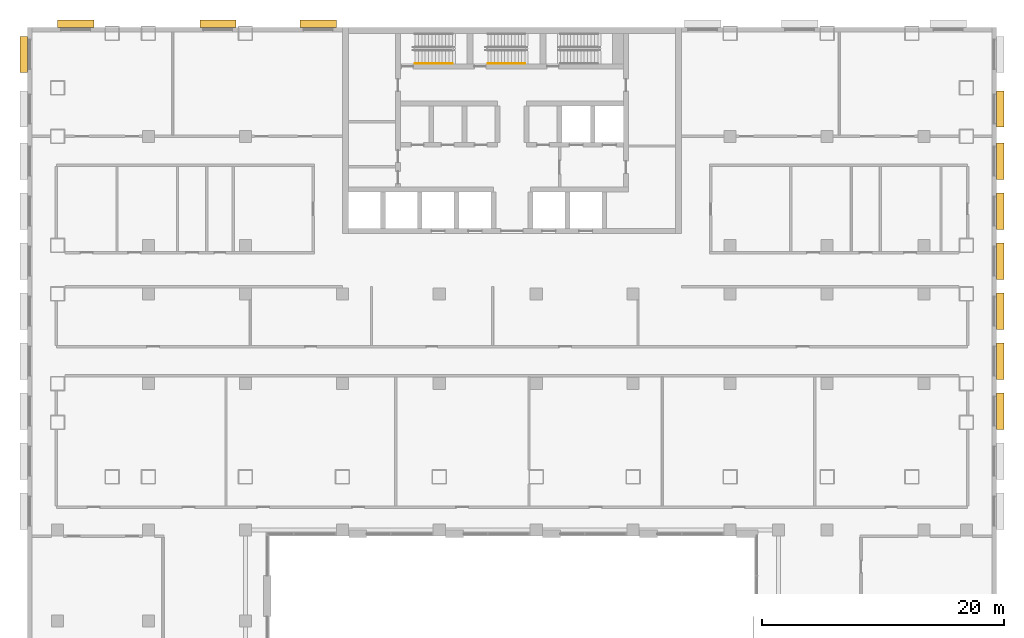
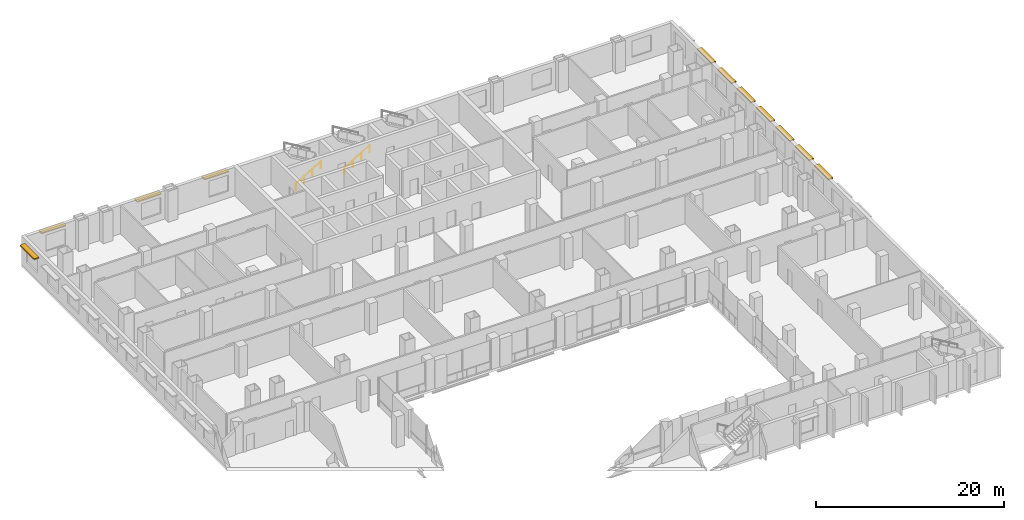
# One storey, part 23 of 25: 11 shading devices, 2 railings.
"""IFC4 building model written with IfcOpenShell, lengths in metres."""

from ifc_helpers import new_model, si_unit, direction, frame, origin, origin_2d, place, context, subcontext, project, spatial, rectangle, circle, extrude, material, layer, layer_set, type_object, element, save


model = new_model("IFC4")

# Units and contexts
model_context = context("Model", 3, precision=1e-05, world=origin(), true_north=direction((0.0, 1.0)))
body_context = subcontext(model_context, "Body", "Model", "MODEL_VIEW")
ifc_project = project(units=[si_unit("LENGTHUNIT", "METRE"), si_unit("AREAUNIT", "SQUARE_METRE"), si_unit("VOLUMEUNIT", "CUBIC_METRE"), si_unit("PLANEANGLEUNIT", "RADIAN"), si_unit("MASSUNIT", "GRAM", prefix="KILO")], contexts=[model_context])

# Site, building, storey
site_placement = place(None, origin())
site = spatial("IfcSite", under=ifc_project, at=site_placement, CompositionType="ELEMENT")
building_placement = place(site_placement, origin())
building = spatial("IfcBuilding", under=site, at=building_placement, Name="Vidyagriha Tower", CompositionType="ELEMENT")
storey_placement = place(building_placement, frame((0.0, 0.0, 18.0)))
storey = spatial("IfcBuildingStorey", under=building, at=storey_placement, Name="L04", CompositionType="ELEMENT", Elevation=18.0)

# Shading devices
ifc_material_1 = material(Name="Precast concrete C40/50 with brick facing", Category="concrete")
ifc_layer = layer(ifc_material_1, 0.14990234375)
ifc_layer_set = layer_set([ifc_layer], Name="Precast concrete C40/50 with brick facing")
shading_device_type = type_object("IfcShadingDeviceType", Name="Brick chhajja window hood", PredefinedType="AWNING", material=ifc_layer_set)
for number, where, z_axis, x_axis, name in (
    (1, (40.300048828125, -11.6875, 3.0), (0.0, 0.0, 1.0), (0.0, 1.0, 0.0), "Window hood L04 R01.12"),
    (2, (40.300048828125, -7.5625, 3.0), (0.0, 0.0, 1.0), (0.0, 1.0, 0.0), "Window hood L04 R01.13"),
    (3, (40.300048828125, -3.4375, 3.0), (0.0, 0.0, 1.0), (0.0, 1.0, 0.0), "Window hood L04 R01.14"),
    (4, (40.300048828125, 0.6875, 3.0), (0.0, 0.0, 1.0), (0.0, 1.0, 0.0), "Window hood L04 R01.15"),
    (5, (40.300048828125, 4.8125, 3.0), (0.0, 0.0, 1.0), (0.0, 1.0, 0.0), "Window hood L04 R01.16"),
    (6, (40.300048828125, 8.9375, 3.0), (0.0, 0.0, 1.0), (0.0, 1.0, 0.0), "Window hood L04 R01.17"),
    (7, (40.300048828125, 13.25, 3.0), (0.0, 0.0, 1.0), (0.0, 1.0, 0.0), "Window hood L04 R01.18"),
    (8, (-16.0, 20.300048828125, 3.0), (0.0, 0.0, 1.0), (-1.0, 0.0, 0.0), "Window hood L04 R04.1"),
    (9, (-24.264892578125, 20.300048828125, 3.0), (0.0, 0.0, 1.0), (-1.0, 0.0, 0.0), "Window hood L04 R04.5"),
    (10, (-36.0, 20.300048828125, 3.0), (0.0, 0.0, 1.0), (-1.0, 0.0, 0.0), "Window hood L04 R04.13"),
    (11, (-40.300048828125, 17.75, 3.0), (0.0, 0.0, 1.0), (0.0, -1.0, 0.0), "Window hood L04 R05.1"),
):
    element("IfcShadingDevice", number, at=place(storey_placement, frame(where, z_axis=z_axis, x_axis=x_axis)), inside=storey, type_object=shading_device_type, Name=name, PredefinedType="AWNING", context=body_context, shape_type="SweptSolid", body=[
        extrude(rectangle(XDim=3.0, YDim=0.60009765625, at=origin_2d()), origin(), (0.0, 0.0, 1.0), 0.14990234375),
    ])

# Railings
ifc_material_2 = material(Name="Steel ASTM A500 Grade C", Category="steel")
railing_type = type_object("IfcRailingType", Name="Stair handrail 900 mm, steel", PredefinedType="HANDRAIL", material=ifc_material_2)
for number, where, name in (
    (12, (-8.0, 17.0, 0.166748046875), "L04 ST1 stair handrail 1"),
    (13, (-2.0, 17.0, 0.166748046875), "L04 ST2 stair handrail 1"),
):
    element("IfcRailing", number, at=place(storey_placement, frame(where)), inside=storey, type_object=railing_type, Name=name, PredefinedType="HANDRAIL", context=body_context, shape_type="SweptSolid", body=[
        extrude(circle(Radius=0.02392578125, at=origin_2d()), frame((0.0, 0.0, 0.8759765625), z_axis=(0.859308565015, 0.0, 0.511457515432), x_axis=(0.0, 1.0, 0.0)), (0.0, 0.0, 1.0), 3.58447265625),
        extrude(circle(Radius=0.02099609375, at=origin_2d()), origin(), (0.0, 0.0, 1.0), 0.851806640625),
        extrude(circle(Radius=0.02099609375, at=origin_2d()), frame((1.026611328125, 0.0, 0.611083984375)), (0.0, 0.0, 1.0), 0.851806640625),
        extrude(circle(Radius=0.02099609375, at=origin_2d()), frame((2.053466796875, 0.0, 1.22216796875)), (0.0, 0.0, 1.0), 0.851806640625),
        extrude(circle(Radius=0.02099609375, at=origin_2d()), frame((3.080078125, 0.0, 1.833251953125)), (0.0, 0.0, 1.0), 0.851806640625),
    ])

save(model, "model.ifc")
